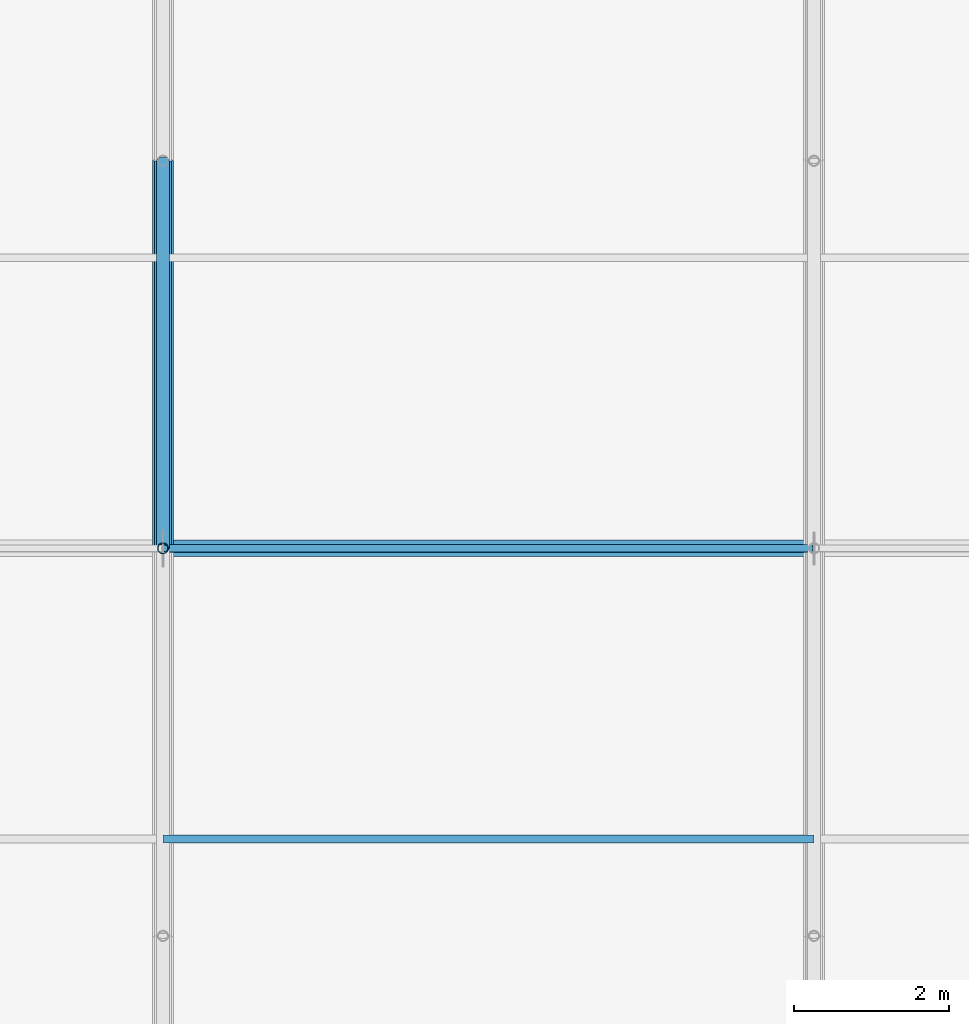
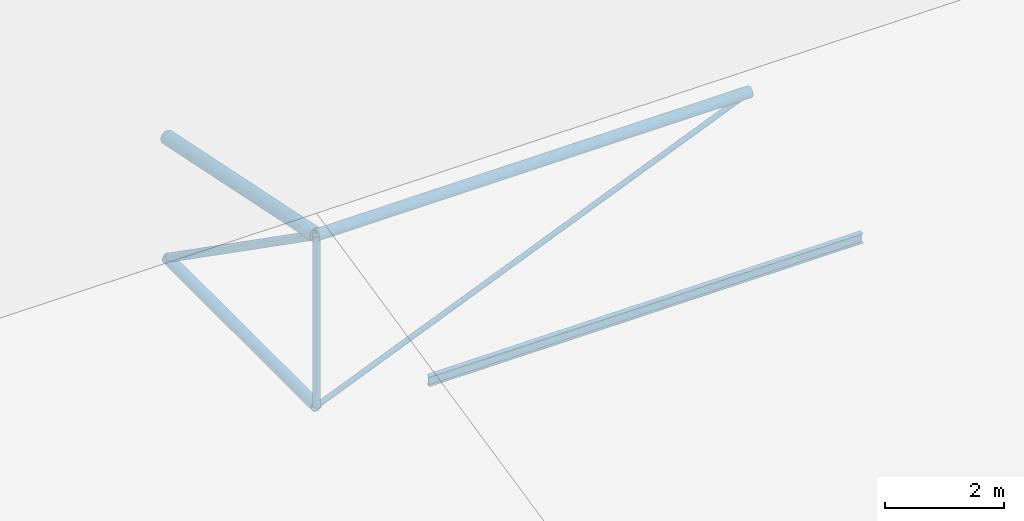
# One storey, part 84 of 194: 6 members, 1 beam.
"""IFC4 building model written with IfcOpenShell, lengths in metres."""

from ifc_helpers import new_model, si_unit, direction, frame, origin, origin_2d, place, context, subcontext, project, spatial, hollow_circle, i_section, extrude, material, material_profile, profile_set, type_object, element, save


model = new_model("IFC4")

# Units and contexts
model_context = context("Model", 3, precision=1e-05, world=origin(), true_north=direction((0.0, 1.0)))
body_context = subcontext(model_context, "Body", "Model", "MODEL_VIEW")
ifc_project = project(units=[si_unit("LENGTHUNIT", "METRE"), si_unit("AREAUNIT", "SQUARE_METRE"), si_unit("VOLUMEUNIT", "CUBIC_METRE"), si_unit("PLANEANGLEUNIT", "RADIAN"), si_unit("MASSUNIT", "GRAM", prefix="KILO")], contexts=[model_context])

# Site, building, storey
site_placement = place(None, origin())
site = spatial("IfcSite", under=ifc_project, at=site_placement, CompositionType="ELEMENT")
building_placement = place(site_placement, origin())
building = spatial("IfcBuilding", under=site, at=building_placement, Name="Kazenagashi Tramway Depot", CompositionType="ELEMENT")
storey_placement = place(building_placement, frame((0.0, 0.0, 23.7)))
storey = spatial("IfcBuildingStorey", under=building, at=storey_placement, Name="ROOF", CompositionType="ELEMENT", Elevation=23.7)

# Beam
ifc_material_1 = material(Name="Steel SN400B", Category="steel")
ifc_material_profile_1 = material_profile(ifc_material_1, i_section(OverallWidth=0.1, OverallDepth=0.2, WebThickness=0.0055, FlangeThickness=0.008, at=origin_2d()), Name="H-200x100x5.5x8")
ifc_profile_set_1 = profile_set([ifc_material_profile_1], Name="Steel SN400B")
beam_type = type_object("IfcBeamType", Name="PR-01", PredefinedType="USERDEFINED", material=ifc_profile_set_1)
beam_placement = place(storey_placement, frame((170.8, 81.25, -11.305), z_axis=(1.0, 0.0, 0.0), x_axis=(0.0, 1.0, 0.0)))
element("IfcBeam", 1, at=beam_placement, inside=storey, type_object=beam_type, Name="Beam PR-01 BM-2069", ObjectType="PURLIN", PredefinedType="USERDEFINED", context=body_context, shape_type="SweptSolid", body=[
    extrude(i_section(OverallWidth=0.1, OverallDepth=0.2, WebThickness=0.0055, FlangeThickness=0.008, at=origin_2d()), origin(), (0.0, 0.0, 1.0), 8.4),
])

# Members
ifc_material_2 = material(Name="Steel STK490", Category="steel")
ifc_material_profile_2 = material_profile(ifc_material_2, hollow_circle(Radius=0.1337, WallThickness=0.0093, at=origin_2d()), Name="CHS-267.4x9.3")
ifc_profile_set_2 = profile_set([ifc_material_profile_2], Name="Steel STK490")
member_type_1 = type_object("IfcMemberType", Name="TC-01", PredefinedType="CHORD", material=ifc_profile_set_2)
member_1_placement = place(storey_placement, frame((170.8, 85.0, -10.6), z_axis=(0.0, 0.979317999984, -0.202327098797), x_axis=(-1.0, 0.0, 0.0)))
element("IfcMember", 2, at=member_1_placement, inside=storey, type_object=member_type_1, Name="Tubular Space Frame TC-01 MEM-0925", PredefinedType="CHORD", context=body_context, shape_type="SweptSolid", body=[
    extrude(hollow_circle(Radius=0.1337, WallThickness=0.0093, at=origin_2d()), origin(), (0.0, 0.0, 1.0), 5.105594),
])
ifc_material_profile_3 = material_profile(ifc_material_2, hollow_circle(Radius=0.10815, WallThickness=0.0082, at=origin_2d()), Name="CHS-216.3x8.2")
ifc_profile_set_3 = profile_set([ifc_material_profile_3], Name="Steel STK490")
member_type_2 = type_object("IfcMemberType", Name="TC-02", PredefinedType="CHORD", material=ifc_profile_set_3)
member_2_placement = place(storey_placement, frame((170.8, 85.0, -14.1), z_axis=(0.0, 1.0, 0.0), x_axis=(-1.0, 0.0, 0.0)))
element("IfcMember", 3, at=member_2_placement, inside=storey, type_object=member_type_2, Name="Tubular Space Frame TC-02 MEM-0926", PredefinedType="CHORD", context=body_context, shape_type="SweptSolid", body=[
    extrude(hollow_circle(Radius=0.10815, WallThickness=0.0082, at=origin_2d()), origin(), (0.0, 0.0, 1.0), 5.0),
])
member_3_placement = place(storey_placement, frame((170.8, 85.0, -10.6), z_axis=(1.0, 0.0, 0.0), x_axis=(0.0, 1.0, 0.0)))
element("IfcMember", 4, at=member_3_placement, inside=storey, type_object=member_type_2, Name="Tubular Space Frame TC-02 MEM-0943", PredefinedType="CHORD", context=body_context, shape_type="SweptSolid", body=[
    extrude(hollow_circle(Radius=0.10815, WallThickness=0.0082, at=origin_2d()), origin(), (0.0, 0.0, 1.0), 8.4),
])
ifc_material_profile_4 = material_profile(ifc_material_2, hollow_circle(Radius=0.0826, WallThickness=0.0071, at=origin_2d()), Name="CHS-165.2x7.1")
ifc_profile_set_4 = profile_set([ifc_material_profile_4], Name="Steel STK490")
member_type_3 = type_object("IfcMemberType", Name="TS-01", PredefinedType="STRUT", material=ifc_profile_set_4)
member_4_placement = place(storey_placement, frame((170.8, 85.0, -10.6), z_axis=(0.0, 0.819231920519, -0.573462344363), x_axis=(-1.0, 0.0, 0.0)))
element("IfcMember", 5, at=member_4_placement, inside=storey, type_object=member_type_3, Name="Tubular Space Frame TS-01 MEM-0927", PredefinedType="STRUT", context=body_context, shape_type="SweptSolid", body=[
    extrude(hollow_circle(Radius=0.0826, WallThickness=0.0071, at=origin_2d()), origin(), (0.0, 0.0, 1.0), 6.103278),
])
ifc_material_profile_5 = material_profile(ifc_material_2, hollow_circle(Radius=0.0699, WallThickness=0.0066, at=origin_2d()), Name="CHS-139.8x6.6")
ifc_profile_set_5 = profile_set([ifc_material_profile_5], Name="Steel STK490")
member_type_4 = type_object("IfcMemberType", Name="TS-02", PredefinedType="STRUT", material=ifc_profile_set_5)
member_5_placement = place(storey_placement, frame((170.8, 85.0, -14.1), z_axis=(0.0, 0.0, 1.0), x_axis=(1.0, 0.0, 0.0)))
element("IfcMember", 6, at=member_5_placement, inside=storey, type_object=member_type_4, Name="Tubular Space Frame TS-02 MEM-0937", PredefinedType="STRUT", context=body_context, shape_type="SweptSolid", body=[
    extrude(hollow_circle(Radius=0.0699, WallThickness=0.0066, at=origin_2d()), origin(), (0.0, 0.0, 1.0), 3.5),
])
ifc_material_3 = material(Name="Steel STK400", Category="steel")
ifc_material_profile_6 = material_profile(ifc_material_3, hollow_circle(Radius=0.0508, WallThickness=0.0042, at=origin_2d()), Name="CHS-101.6x4.2")
ifc_profile_set_6 = profile_set([ifc_material_profile_6], Name="Steel STK400")
member_type_5 = type_object("IfcMemberType", Name="TS-06", PredefinedType="STRUT", material=ifc_profile_set_6)
member_6_placement = place(storey_placement, frame((170.8, 85.0, -14.1), z_axis=(0.923076923077, 0.0, 0.384615384615), x_axis=(0.0, 1.0, 0.0)))
element("IfcMember", 7, at=member_6_placement, inside=storey, type_object=member_type_5, Name="Tubular Space Frame TS-06 MEM-0944", PredefinedType="STRUT", context=body_context, shape_type="SweptSolid", body=[
    extrude(hollow_circle(Radius=0.0508, WallThickness=0.0042, at=origin_2d()), origin(), (0.0, 0.0, 1.0), 9.1),
])

save(model, "model.ifc")
